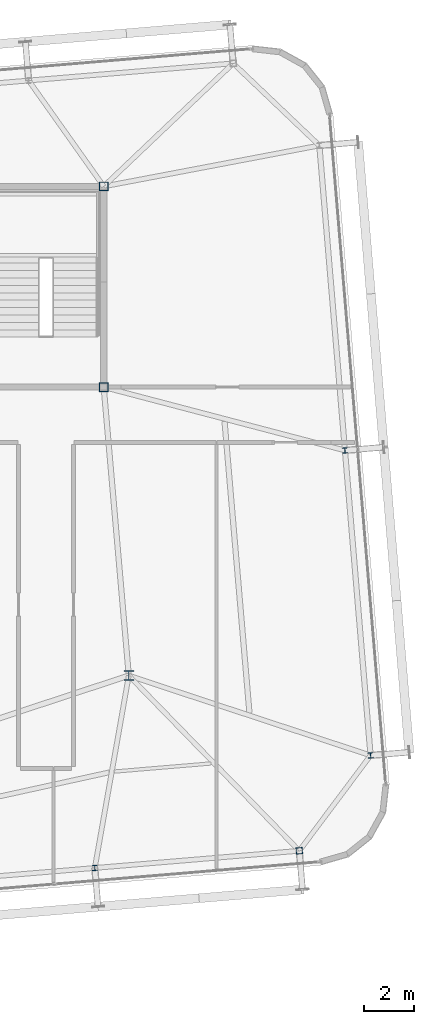
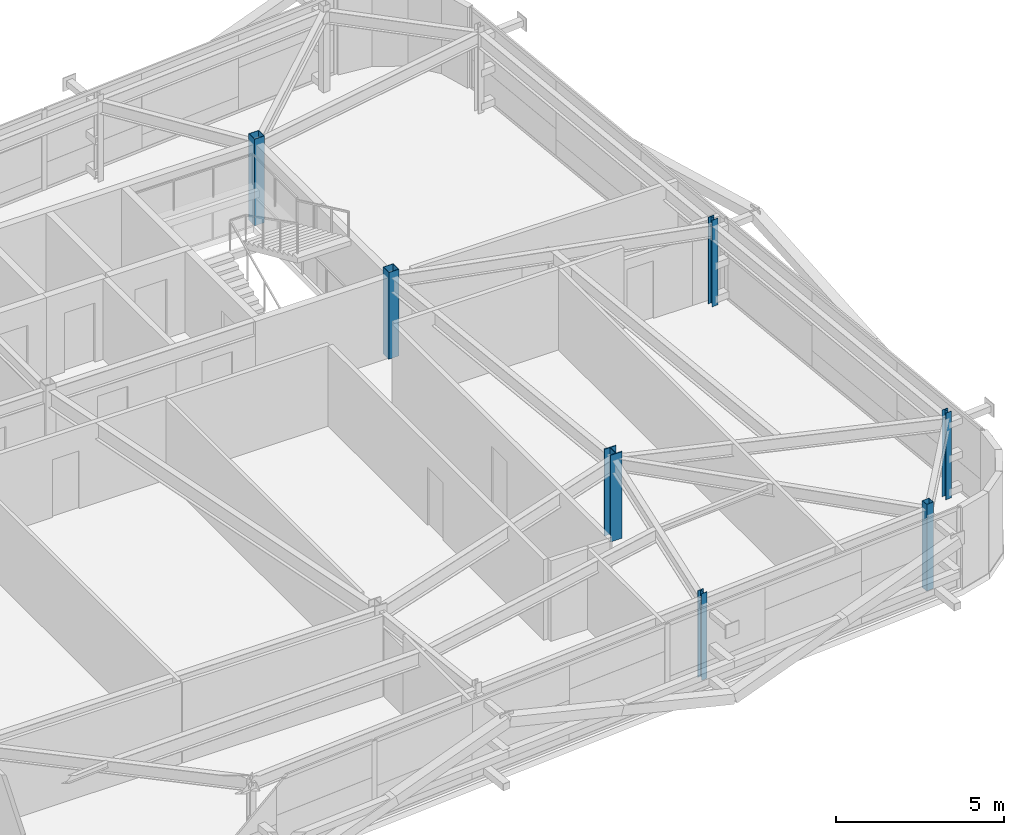
# One storey, part 4 of 37: 7 columns.
"""IFC4 building model written with IfcOpenShell, lengths in metres."""

import ifcopenshell
import ifcopenshell.guid

model = None  # the IFC model being written
_history = None  # IfcOwnerHistory: only IFC2X3 demands one
_inside = {}  # id of a spatial element -> (the spatial element, [elements in it])
_under = {}  # id of a project, library or spatial element -> (it, [spatial elements below it])
_declared = {}  # id of a project -> (the project, [libraries it declares])
_typed = {}  # id of a type object -> (the type object, [elements of that type])
_made_of = {}  # id of a material, layer set ... -> (it, [elements and type objects made of it])


def new_model(schema):
    """Start an empty IFC model of exactly this schema.

    Asked for "IFC4X3", IfcOpenShell would pick the latest addendum, in which some entities
    have other attributes; the version numbers below select the first issue.
    IFC2X3 requires an IfcOwnerHistory on every rooted entity: one is made here for all.
    """
    global model, _history
    if schema == "IFC4X3":
        model = ifcopenshell.file(schema_version=(4, 3, 0, 0))
    else:
        model = ifcopenshell.file(schema=schema)
    _inside.clear()
    _under.clear()
    _declared.clear()
    _typed.clear()
    _made_of.clear()
    _history = None
    if model.schema == "IFC2X3":
        org = make("IfcOrganization", Name="unknown")
        user = make(
            "IfcPersonAndOrganization",
            ThePerson=make("IfcPerson", FamilyName="unknown"),
            TheOrganization=org,
        )
        app = make(
            "IfcApplication",
            ApplicationDeveloper=org,
            Version="unknown",
            ApplicationFullName="unknown",
            ApplicationIdentifier="unknown",
        )
        _history = make(
            "IfcOwnerHistory",
            OwningUser=user,
            OwningApplication=app,
            ChangeAction="ADDED",
            CreationDate=0,
        )
    return model


def make(cls, **values):
    """One entity of the class cls with the attributes given. An attribute that is None is left unset."""
    return model.create_entity(
        cls, **{name: value for name, value in values.items() if value is not None}
    )


def rooted(cls, **values):
    """An entity with a GlobalId (a new one), such as an element, a storey or a relation."""
    return make(cls, GlobalId=ifcopenshell.guid.new(), OwnerHistory=_history, **values)


def si_unit(unit_type, name, prefix=None):
    """IfcSIUnit, for example si_unit("LENGTHUNIT", "METRE", prefix="MILLI")."""
    return make("IfcSIUnit", UnitType=unit_type, Prefix=prefix, Name=name)


def assignment(units):
    """IfcUnitAssignment: the units of a project."""
    return None if units is None else make("IfcUnitAssignment", Units=units)


def point(xyz):
    """IfcCartesianPoint."""
    return None if xyz is None else make("IfcCartesianPoint", Coordinates=xyz)


def direction(xyz):
    """IfcDirection."""
    return None if xyz is None else make("IfcDirection", DirectionRatios=xyz)


def frame(location, z_axis=None, x_axis=None):
    """IfcAxis2Placement3D, a coordinate frame: its origin and axes. An axis left out is left unset."""
    return make(
        "IfcAxis2Placement3D",
        Location=point(location),
        Axis=direction(z_axis),
        RefDirection=direction(x_axis),
    )


def frame_2d(location, x_axis=None):
    """IfcAxis2Placement2D, a coordinate frame in the plane: its origin and x axis."""
    return make(
        "IfcAxis2Placement2D", Location=point(location), RefDirection=direction(x_axis)
    )


def origin():
    """The frame at (0, 0, 0) with its axes left unset."""
    return frame((0.0, 0.0, 0.0))


def origin_2d():
    """The frame at (0, 0) in the plane with its x axis left unset."""
    return frame_2d((0.0, 0.0))


def place(relative_to, where):
    """IfcLocalPlacement: puts the frame where relative to a parent placement (None: the world)."""
    return make(
        "IfcLocalPlacement", PlacementRelTo=relative_to, RelativePlacement=where
    )


def context(
    kind, dimensions, precision=None, world=None, true_north=None, identifier=None
):
    """IfcGeometricRepresentationContext, for example the 3D "Model" context."""
    return make(
        "IfcGeometricRepresentationContext",
        ContextIdentifier=identifier,
        ContextType=kind,
        CoordinateSpaceDimension=dimensions,
        Precision=precision,
        WorldCoordinateSystem=world,
        TrueNorth=true_north,
    )


def subcontext(parent, identifier, kind, view, scale=None):
    """IfcGeometricRepresentationSubContext, for example "Body" below "Model"."""
    return make(
        "IfcGeometricRepresentationSubContext",
        ContextIdentifier=identifier,
        ContextType=kind,
        ParentContext=parent,
        TargetScale=scale,
        TargetView=view,
    )


def project(units=None, contexts=None):
    """IfcProject with its units and contexts."""
    return rooted(
        "IfcProject",
        Name="project",
        RepresentationContexts=contexts,
        UnitsInContext=assignment(units),
    )


def spatial(cls, under=None, at=None, **own):
    """A site, building, storey or space (cls), placed at a placement, below another one or the project."""
    s = rooted(cls, ObjectPlacement=at, **own)
    if under is not None:
        _under.setdefault(under.id(), (under, []))[1].append(s)
    return s


def profile(cls, at=None, kind="AREA", **sizes):
    """A parametric profile (cls). Its sizes go by their IFC names, for example OverallWidth=200.0."""
    return make(cls, ProfileType=kind, Position=at, **sizes)


def hollow_rectangle(**sizes):
    """IfcRectangleHollowProfileDef."""
    return profile("IfcRectangleHollowProfileDef", **sizes)


def i_section(**sizes):
    """IfcIShapeProfileDef."""
    return profile("IfcIShapeProfileDef", **sizes)


def extrude(swept, where, along, depth):
    """IfcExtrudedAreaSolid: the profile swept, set in the frame where, extruded along a direction by depth."""
    return make(
        "IfcExtrudedAreaSolid",
        SweptArea=swept,
        Position=where,
        ExtrudedDirection=direction(along),
        Depth=depth,
    )


def shape(context_of_items, identifier, shape_type, items):
    """IfcShapeRepresentation: the items that make up one representation, for example the "Body"."""
    return make(
        "IfcShapeRepresentation",
        ContextOfItems=context_of_items,
        RepresentationIdentifier=identifier,
        RepresentationType=shape_type,
        Items=items,
    )


def source(mapping_origin, context_of_items, identifier, shape_type, items):
    """IfcRepresentationMap: a shape defined once, which mapped items show again and again."""
    return make(
        "IfcRepresentationMap",
        MappingOrigin=mapping_origin,
        MappedRepresentation=shape(context_of_items, identifier, shape_type, items),
    )


def transform(
    local_origin,
    x_axis=None,
    y_axis=None,
    z_axis=None,
    scale=None,
    scale2=None,
    scale3=None,
    uniform=True,
):
    """IfcCartesianTransformationOperator3D, or its non-uniform kind. x_axis, y_axis, z_axis: its Axis1, 2, 3."""
    if uniform:
        return make(
            "IfcCartesianTransformationOperator3D",
            Axis1=direction(x_axis),
            Axis2=direction(y_axis),
            LocalOrigin=point(local_origin),
            Scale=scale,
            Axis3=direction(z_axis),
        )
    return make(
        "IfcCartesianTransformationOperator3DnonUniform",
        Axis1=direction(x_axis),
        Axis2=direction(y_axis),
        LocalOrigin=point(local_origin),
        Scale=scale,
        Axis3=direction(z_axis),
        Scale2=scale2,
        Scale3=scale3,
    )


def mapped(mapping_source, mapping_target):
    """IfcMappedItem: shows the shape of a source again, moved by a transform."""
    return make(
        "IfcMappedItem", MappingSource=mapping_source, MappingTarget=mapping_target
    )


def material(Name=None, Category=None):
    """IfcMaterial."""
    return make("IfcMaterial", Name=Name, Category=Category)


def material_profile(
    of_material, cross_section, Name=None, Category=None, Priority=None
):
    """IfcMaterialProfile: a cross section and its material."""
    return make(
        "IfcMaterialProfile",
        Name=Name,
        Material=of_material,
        Profile=cross_section,
        Priority=Priority,
        Category=Category,
    )


def profile_set(profiles, Name=None, composite=None):
    """IfcMaterialProfileSet."""
    return make(
        "IfcMaterialProfileSet",
        Name=Name,
        MaterialProfiles=profiles,
        CompositeProfile=composite,
    )


def made_of(thing, what):
    """Note that an element or type object is made of a material, layer set ...; save() writes the relation."""
    if what is not None:
        _made_of.setdefault(what.id(), (what, []))[1].append(thing)
    return thing


def type_object(cls, material=None, **own):
    """A type object (cls), such as IfcWallType, which elements share."""
    return made_of(rooted(cls, **own), material)


def element(
    cls,
    number,
    at=None,
    inside=None,
    cuts=None,
    type_object=None,
    material=None,
    context=None,
    identifier="Body",
    shape_type=None,
    held_by="IfcProductDefinitionShape",
    body=None,
    shapes=None,
    **own,
):
    """One element of the class cls, such as IfcWall. Its Tag is "e" and its number.

    at: its placement. inside: the storey or other place that contains it. cuts: it is an
    opening in that element (IfcRelVoidsElement). A single representation is given by context,
    identifier, shape_type and body (its items); several are given by shapes. held_by: the class
    of the entity that holds the representations. save() writes the other relations.
    """
    e = rooted(cls, Tag="e%d" % number, ObjectPlacement=at, **own)
    if body is not None:
        shapes = [shape(context, identifier, shape_type, body)]
    if shapes is not None:
        e.Representation = make(held_by, Representations=shapes)
    if inside is not None:
        _inside.setdefault(inside.id(), (inside, []))[1].append(e)
    if cuts is not None:
        rooted(
            "IfcRelVoidsElement", RelatingBuildingElement=cuts, RelatedOpeningElement=e
        )
    if type_object is not None:
        _typed.setdefault(type_object.id(), (type_object, []))[1].append(e)
    return made_of(e, material)


def aggregate(whole, parts):
    """IfcRelAggregates: a whole, such as a stair, and the parts it consists of."""
    return rooted("IfcRelAggregates", RelatingObject=whole, RelatedObjects=parts)


def save(model, path):
    """Write the relations noted so far, then the file.

    IfcRelAggregates (storeys below a building ...), IfcRelContainedInSpatialStructure (elements
    in a storey), IfcRelDefinesByType, IfcRelAssociatesMaterial and IfcRelDeclares: one each for
    every whole, place, type object, material and project.
    """
    for whole, parts in _under.values():
        aggregate(whole, parts)
    for where, things in _inside.values():
        rooted(
            "IfcRelContainedInSpatialStructure",
            RelatedElements=things,
            RelatingStructure=where,
        )
    for kind, things in _typed.values():
        rooted("IfcRelDefinesByType", RelatedObjects=things, RelatingType=kind)
    for what, things in _made_of.values():
        rooted("IfcRelAssociatesMaterial", RelatedObjects=things, RelatingMaterial=what)
    for by, libraries in _declared.values():
        rooted("IfcRelDeclares", RelatingContext=by, RelatedDefinitions=libraries)
    model.write(path)


model = new_model("IFC4")

# Units and contexts
model_context = context("Model", 3, precision=1e-05, world=origin(), true_north=direction((0.0, 1.0)))
body_context = subcontext(model_context, "Body", "Model", "MODEL_VIEW")
ifc_project = project(units=[si_unit("LENGTHUNIT", "METRE"), si_unit("AREAUNIT", "SQUARE_METRE"), si_unit("VOLUMEUNIT", "CUBIC_METRE"), si_unit("PLANEANGLEUNIT", "RADIAN"), si_unit("MASSUNIT", "GRAM", prefix="KILO")], contexts=[model_context])

# Site, building, storey
site_placement = place(None, origin())
site = spatial("IfcSite", under=ifc_project, at=site_placement, CompositionType="ELEMENT")
building_placement = place(site_placement, origin())
building = spatial("IfcBuilding", under=site, at=building_placement, Name="Taldren Reach Tower", CompositionType="ELEMENT")
storey_placement = place(building_placement, frame((0.0, 0.0, 172.550048828125)))
storey = spatial("IfcBuildingStorey", under=building, at=storey_placement, Name="L52", CompositionType="ELEMENT", Elevation=172.550048828125)

# Columns
ifc_material_1 = material(Name="Steel Gr 350 (350PLUS)", Category="steel")
ifc_material_profile_1 = material_profile(ifc_material_1, i_section(OverallWidth=0.39990234375, OverallDepth=0.39599609375, WebThickness=0.02197265625, FlangeThickness=0.033935546875, at=origin_2d()), Name="400WC270")
ifc_profile_set_1 = profile_set([ifc_material_profile_1], Name="Steel Gr 350 (350PLUS)")
column_type_1 = type_object("IfcColumnType", Name="COL-WC400", PredefinedType="COLUMN", material=ifc_profile_set_1)
shared_shape_1 = source(origin(), body_context, "Body", "SweptSolid", [
    extrude(i_section(OverallWidth=0.39990234375, OverallDepth=0.39599609375, WebThickness=0.02197265625, FlangeThickness=0.033935546875, at=origin_2d()), origin(), (0.0, 0.0, 1.0), 3.14990234375),
])
column_1_placement = place(storey_placement, frame((52.0, 12.5, 0.0), z_axis=(0.0, 0.0, 1.0), x_axis=(1.0, 0.0, 0.0)))
element("IfcColumn", 1, at=column_1_placement, inside=storey, type_object=column_type_1, Name="Mega column MC-SE L52", PredefinedType="COLUMN", context=body_context, shape_type="MappedRepresentation", body=[
    mapped(shared_shape_1, transform((0.0, 0.0, 0.0), scale=1.0)),
])
ifc_material_2 = material(Name="Steel Gr 450 (C450L0)", Category="steel")
ifc_material_profile_2 = material_profile(ifc_material_2, hollow_rectangle(XDim=0.35009765625, YDim=0.35009765625, WallThickness=0.01611328125, at=origin_2d()), Name="350x350x16.0SHS")
ifc_profile_set_2 = profile_set([ifc_material_profile_2], Name="Steel Gr 450 (C450L0)")
column_type_2 = type_object("IfcColumnType", Name="COL-SHS350", PredefinedType="COLUMN", material=ifc_profile_set_2)
shared_shape_2 = source(origin(), body_context, "Body", "SweptSolid", [
    extrude(hollow_rectangle(XDim=0.35009765625, YDim=0.35009765625, WallThickness=0.01611328125, at=origin_2d()), origin(), (0.0, 0.0, 1.0), 3.14990234375),
])
for number, where, z_axis, x_axis, name in (
    (2, (51.0, 24.0, 0.0), (0.0, 0.0, 1.0), (1.0, 0.0, 0.0), "Mega column MC-C4 L52"),
    (3, (51.0, 32.0, 0.0), (0.0, 0.0, 1.0), (1.0, 0.0, 0.0), "Mega column MC-C8 L52"),
):
    element("IfcColumn", number, at=place(storey_placement, frame(where, z_axis=z_axis, x_axis=x_axis)), inside=storey, type_object=column_type_2, Name=name, PredefinedType="COLUMN", context=body_context, shape_type="MappedRepresentation", body=[
        mapped(shared_shape_2, transform((0.0, 0.0, 0.0), scale=1.0)),
    ])
ifc_material_3 = material(Name="Steel Gr 350 (C350L0)", Category="steel")
ifc_material_profile_3 = material_profile(ifc_material_3, hollow_rectangle(XDim=0.25, YDim=0.25, WallThickness=0.010009765625, at=origin_2d()), Name="250x250x10.0SHS")
ifc_profile_set_3 = profile_set([ifc_material_profile_3], Name="Steel Gr 350 (C350L0)")
column_type_3 = type_object("IfcColumnType", Name="COL-SHS250", PredefinedType="COLUMN", material=ifc_profile_set_3)
shared_shape_3 = source(origin(), body_context, "Body", "SweptSolid", [
    extrude(hollow_rectangle(XDim=0.25, YDim=0.25, WallThickness=0.010009765625, at=origin_2d()), origin(), (0.0, 0.0, 1.0), 3.14990234375),
])
column_2_placement = place(storey_placement, frame((58.796142578125, 5.516357421875, 0.0), z_axis=(0.0, 0.0, 1.0), x_axis=(0.99649285925, 0.083677843332, 0.0)))
element("IfcColumn", 4, at=column_2_placement, inside=storey, type_object=column_type_3, Name="Block B4 perimeter column S6 L52", PredefinedType="COLUMN", context=body_context, shape_type="MappedRepresentation", body=[
    mapped(shared_shape_3, transform((0.0, 0.0, 0.0), scale=1.0)),
])
ifc_material_profile_4 = material_profile(ifc_material_1, i_section(OverallWidth=0.205078125, OverallDepth=0.2099609375, WebThickness=0.00927734375, FlangeThickness=0.01416015625, at=origin_2d()), Name="200UC59.5")
ifc_profile_set_4 = profile_set([ifc_material_profile_4], Name="Steel Gr 350 (350PLUS)")
column_type_4 = type_object("IfcColumnType", Name="COL-UC200", PredefinedType="COLUMN", material=ifc_profile_set_4)
shared_shape_4 = source(origin(), body_context, "Body", "SweptSolid", [
    extrude(i_section(OverallWidth=0.205078125, OverallDepth=0.2099609375, WebThickness=0.00927734375, FlangeThickness=0.01416015625, at=origin_2d()), origin(), (0.0, 0.0, 1.0), 3.14990234375),
])
for number, where, z_axis, x_axis, name in (
    (5, (50.644775390625, 4.83203125, 0.0), (0.0, 0.0, 1.0), (0.99649285925, 0.083677843332, 0.0), "Block B4 perimeter column S5 L52"),
    (6, (61.63818359375, 9.317626953125, 0.0), (0.0, 0.0, 1.0), (0.99649285925, 0.083677843332, 0.0), "Block B4 perimeter column E1 L52"),
    (7, (60.6171875, 21.474853515625, 0.0), (0.0, 0.0, 1.0), (0.99649285925, 0.083677843332, 0.0), "Block B4 perimeter column E2 L52"),
):
    element("IfcColumn", number, at=place(storey_placement, frame(where, z_axis=z_axis, x_axis=x_axis)), inside=storey, type_object=column_type_4, Name=name, PredefinedType="COLUMN", context=body_context, shape_type="MappedRepresentation", body=[
        mapped(shared_shape_4, transform((0.0, 0.0, 0.0), scale=1.0)),
    ])

save(model, "model.ifc")
